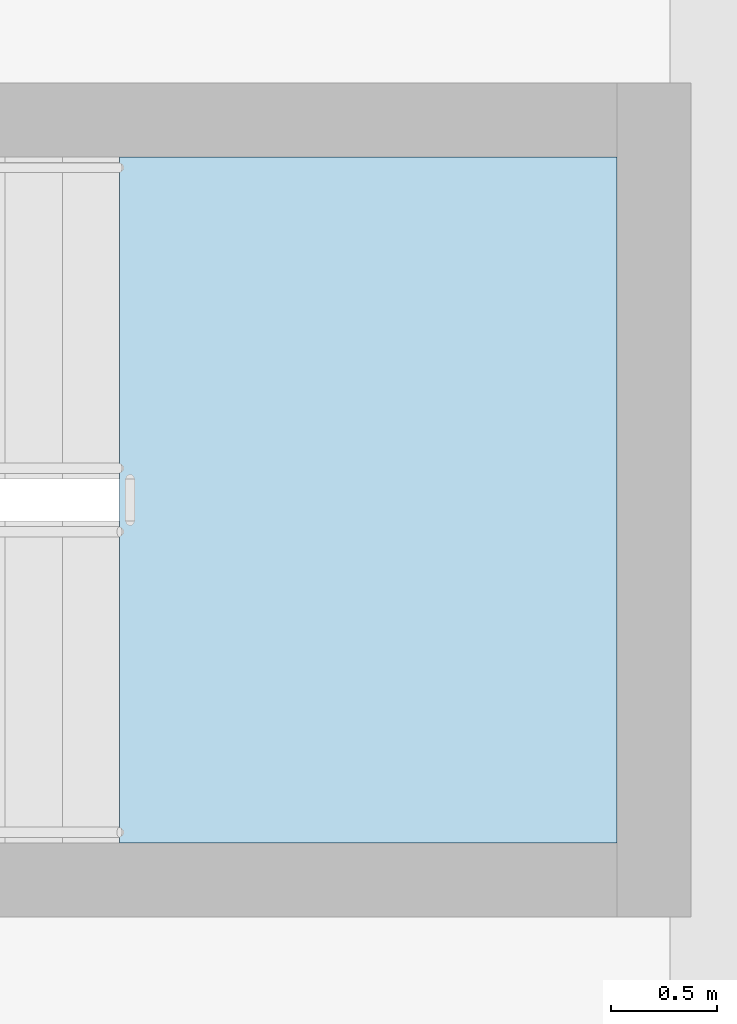
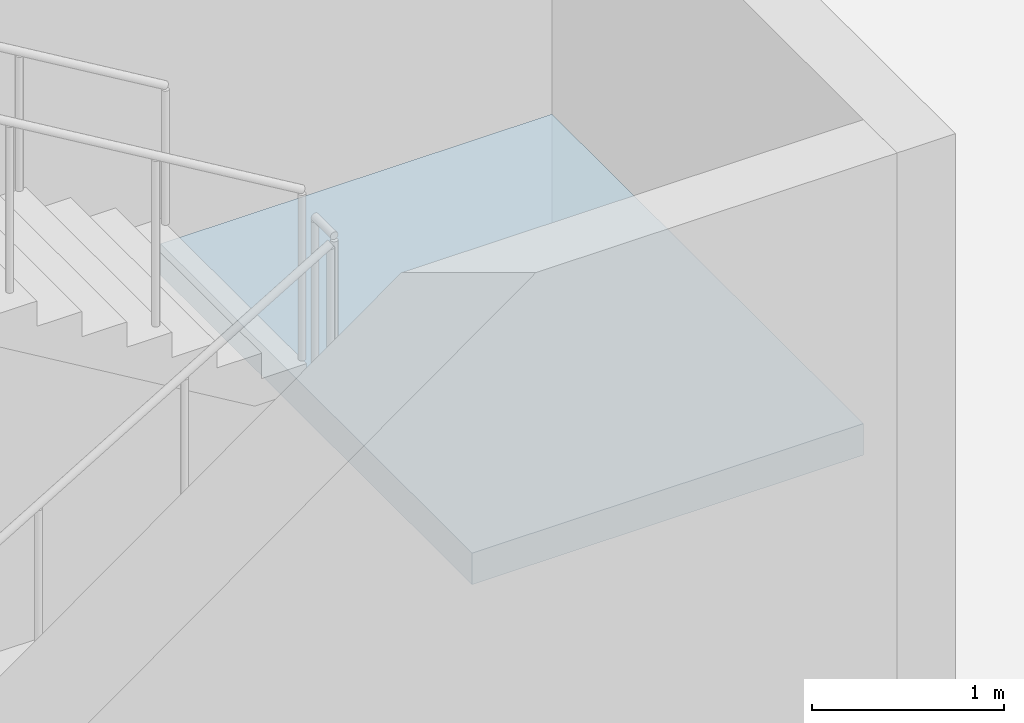
# One storey, part 90 of 137: 1 slab, 1 element without a shape of its own.
"""IFC4 building model written with IfcOpenShell, lengths in metres."""

from ifc_helpers import new_model, si_unit, direction, frame, origin, place, context, subcontext, project, spatial, polyline, outline, extrude, material, layer, layer_set, type_object, element, aggregate, save


model = new_model("IFC4")

# Units and contexts
model_context = context("Model", 3, precision=1e-05, world=origin(), true_north=direction((0.0, 1.0)))
body_context = subcontext(model_context, "Body", "Model", "MODEL_VIEW")
ifc_project = project(units=[si_unit("LENGTHUNIT", "METRE"), si_unit("AREAUNIT", "SQUARE_METRE"), si_unit("VOLUMEUNIT", "CUBIC_METRE"), si_unit("PLANEANGLEUNIT", "RADIAN"), si_unit("MASSUNIT", "GRAM", prefix="KILO")], contexts=[model_context])

# Site, building, storey
site_placement = place(None, origin())
site = spatial("IfcSite", under=ifc_project, at=site_placement, CompositionType="ELEMENT")
building_placement = place(site_placement, origin())
building = spatial("IfcBuilding", under=site, at=building_placement, Name="Xazarin Passage Department Store", CompositionType="ELEMENT")
storey_placement = place(building_placement, frame((0.0, 0.0, 5.39990234375)))
storey = spatial("IfcBuildingStorey", under=building, at=storey_placement, Name="L01", CompositionType="ELEMENT", Elevation=5.39990234375)

# Stair, slab
ifc_material = material(Name="Concrete C35/45", Category="concrete")
stair_type = type_object("IfcStairType", Name="ARC-ST-TYP", PredefinedType="HALF_TURN_STAIR", material=ifc_material)
stair_placement = place(storey_placement, origin())
stair = element("IfcStair", 1, at=stair_placement, inside=storey, type_object=stair_type, Name="L01 Exit Stair ST9", PredefinedType="HALF_TURN_STAIR")
ifc_layer = layer(ifc_material, 0.199951171875)
ifc_layer_set = layer_set([ifc_layer], Name="Concrete C35/45")
slab_type = type_object("IfcSlabType", Name="STR-SLB-LND200", PredefinedType="LANDING", material=ifc_layer_set)
slab_placement = place(storey_placement, frame((0.0, 0.0, 2.050048828125)))
slab = element("IfcSlab", 2, at=slab_placement, type_object=slab_type, Name="ST9 landing 1", PredefinedType="LANDING", context=body_context, shape_type="SweptSolid", body=[
    extrude(outline(polyline([(55.949951171875, 36.179931640625), (58.300048828125, 36.179931640625), (58.300048828125, 39.419921875), (55.949951171875, 39.419921875), (55.949951171875, 36.179931640625)])), origin(), (0.0, 0.0, 1.0), 0.199951171875),
])
aggregate(stair, [slab])

save(model, "model.ifc")
